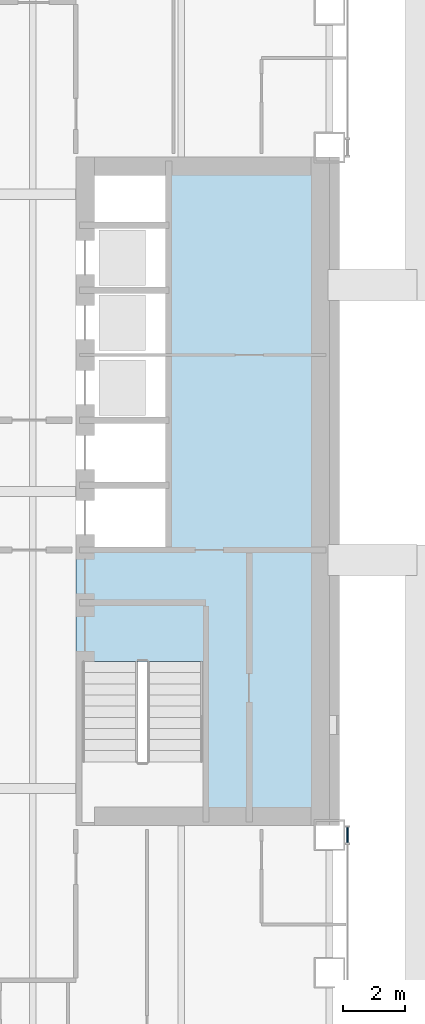
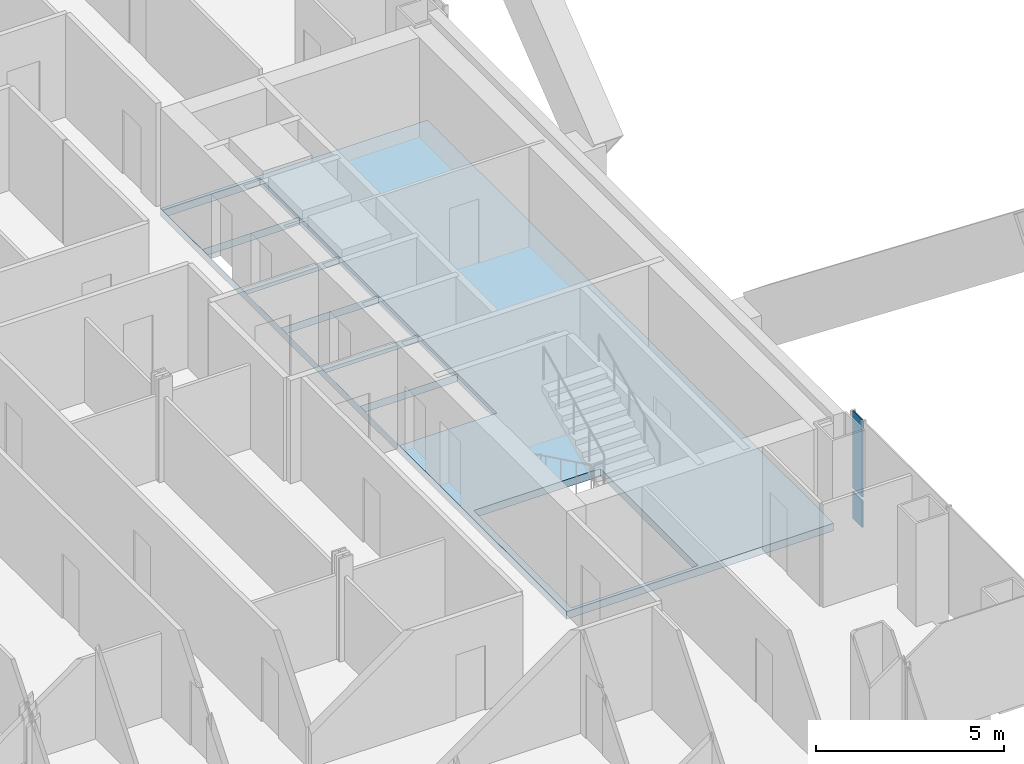
# One storey, part 14 of 23: 2 plates, 1 slab, 1 element without a shape of its own.
"""IFC4 building model written with IfcOpenShell, lengths in metres."""

from ifc_helpers import new_model, si_unit, direction, frame, origin, origin_2d, place, context, subcontext, project, spatial, polyline, rectangle, outline, extrude, material, layer, layer_set, type_object, element, aggregate, save


model = new_model("IFC4")

# Units and contexts
model_context = context("Model", 3, precision=1e-05, world=origin(), true_north=direction((0.0, 1.0)))
body_context = subcontext(model_context, "Body", "Model", "MODEL_VIEW")
ifc_project = project(units=[si_unit("LENGTHUNIT", "METRE"), si_unit("AREAUNIT", "SQUARE_METRE"), si_unit("VOLUMEUNIT", "CUBIC_METRE"), si_unit("PLANEANGLEUNIT", "RADIAN"), si_unit("MASSUNIT", "GRAM", prefix="KILO")], contexts=[model_context])

# Site, building, storey
site_placement = place(None, origin())
site = spatial("IfcSite", under=ifc_project, at=site_placement, CompositionType="ELEMENT")
building_placement = place(site_placement, origin())
building = spatial("IfcBuilding", under=site, at=building_placement, Name="Cobrizo Arcos Hotel Tower", CompositionType="ELEMENT")
storey_placement = place(building_placement, frame((0.0, 0.0, 56.5)))
storey = spatial("IfcBuildingStorey", under=building, at=storey_placement, Name="L12", CompositionType="ELEMENT", Elevation=56.5)

# Curtain wall, plates
ifc_material_1 = material(Name="Aluminium 6063-T6 anodised bronze", Category="aluminium")
curtain_wall_type = type_object("IfcCurtainWallType", Name="CW-A guest facade", PredefinedType="NOTDEFINED", material=ifc_material_1)
curtain_wall_placement = place(storey_placement, origin())
curtain_wall = element("IfcCurtainWall", 1, at=curtain_wall_placement, inside=storey, type_object=curtain_wall_type, Name="CW-A L12 E face", PredefinedType="NOTDEFINED")
ifc_material_2 = material(Name="Glass clear laminated low-e", Category="glass")
ifc_layer_1 = layer(ifc_material_2, 0.0400390625)
ifc_layer_set_1 = layer_set([ifc_layer_1], Name="CW-A glass panel")
plate_type_1 = type_object("IfcPlateType", Name="CW-A glass panel", PredefinedType="CURTAIN_PANEL", material=ifc_layer_set_1)
plate_1_placement = place(storey_placement, frame((24.574951171875, -11.109375, 0.990234375), z_axis=(0.0, 0.0, 1.0), x_axis=(0.0, 1.0, 0.0)))
plate_1 = element("IfcPlate", 2, at=plate_1_placement, type_object=plate_type_1, Name="CW-A glass panel 564", PredefinedType="CURTAIN_PANEL", context=body_context, shape_type="SweptSolid", body=[
    extrude(rectangle(XDim=0.498779296875, YDim=0.0400390625, at=origin_2d()), origin(), (0.0, 0.0, 1.0), 2.510009765625),
])
ifc_material_3 = material(Name="Aluminium composite panel pale metal", Category="aluminium")
ifc_layer_2 = layer(ifc_material_3, 0.0400390625)
ifc_layer_set_2 = layer_set([ifc_layer_2], Name="CW-A spandrel panel")
plate_type_2 = type_object("IfcPlateType", Name="CW-A spandrel panel", PredefinedType="CURTAIN_PANEL", material=ifc_layer_set_2)
plate_2_placement = place(storey_placement, frame((24.574951171875, -11.109375, 0.0), z_axis=(0.0, 0.0, 1.0), x_axis=(0.0, 1.0, 0.0)))
plate_2 = element("IfcPlate", 3, at=plate_2_placement, type_object=plate_type_2, Name="CW-A spandrel panel 564", PredefinedType="CURTAIN_PANEL", context=body_context, shape_type="SweptSolid", body=[
    extrude(rectangle(XDim=0.498779296875, YDim=0.0400390625, at=origin_2d()), origin(), (0.0, 0.0, 1.0), 0.8701171875),
])
aggregate(curtain_wall, [plate_2, plate_1])

# Slab
ifc_material_4 = material(Name="Concrete f'c 60 MPa", Category="concrete")
ifc_layer_3 = layer(ifc_material_4, 0.25)
ifc_layer_set_3 = layer_set([ifc_layer_3], Name="RC core floor slab 250 f'c 60")
slab_type = type_object("IfcSlabType", Name="RC core floor slab 250 f'c 60", PredefinedType="FLOOR", material=ifc_layer_set_3)
slab_placement = place(storey_placement, frame((0.0, 0.0, -0.25)))
element("IfcSlab", 4, at=slab_placement, inside=storey, type_object=slab_type, Name="Core floor slab CS3, east core, L12", PredefinedType="FLOOR", context=body_context, shape_type="SweptSolid", body=[
    extrude(outline(polyline([(15.800048828125, 10.800048828125), (24.0, 10.800048828125), (24.0, -10.800048828125), (15.800048828125, -10.800048828125), (15.800048828125, 10.800048828125)]), holes=[polyline([(19.89794921875, -10.697998046875), (19.89794921875, -5.501953125), (16.001953125, -5.501953125), (16.001953125, -10.697998046875), (19.89794921875, -10.697998046875)]), polyline([(15.802001953125, 0.197998046875), (15.802001953125, -1.89794921875), (18.798095703125, -1.89794921875), (18.798095703125, 0.197998046875), (15.802001953125, 0.197998046875)]), polyline([(18.798095703125, 2.298095703125), (15.802001953125, 2.298095703125), (15.802001953125, 0.201904296875), (18.798095703125, 0.201904296875), (18.798095703125, 2.298095703125)]), polyline([(18.798095703125, 4.39794921875), (15.802001953125, 4.39794921875), (15.802001953125, 2.302001953125), (18.798095703125, 2.302001953125), (18.798095703125, 4.39794921875)]), polyline([(15.802001953125, 6.498046875), (15.802001953125, 4.402099609375), (18.798095703125, 4.402099609375), (18.798095703125, 6.498046875), (15.802001953125, 6.498046875)]), polyline([(18.798095703125, 8.597900390625), (15.802001953125, 8.597900390625), (15.802001953125, 6.501953125), (18.798095703125, 6.501953125), (18.798095703125, 8.597900390625)]), polyline([(18.798095703125, 10.697998046875), (15.802001953125, 10.697998046875), (15.802001953125, 8.60205078125), (18.798095703125, 8.60205078125), (18.798095703125, 10.697998046875)])]), origin(), (0.0, 0.0, 1.0), 0.25),
])

save(model, "model.ifc")
